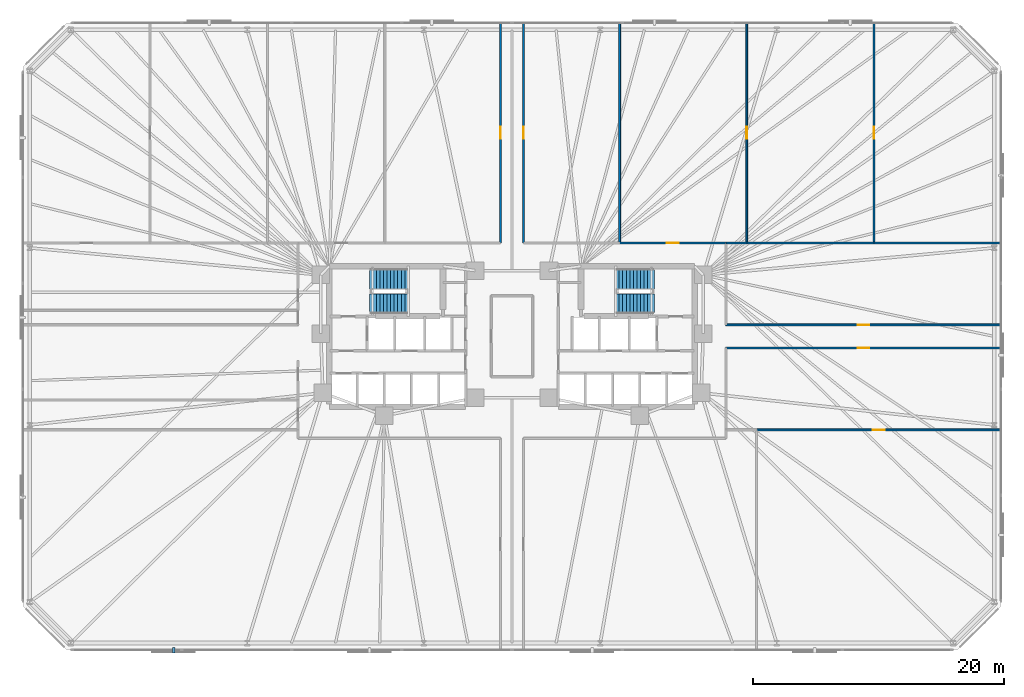
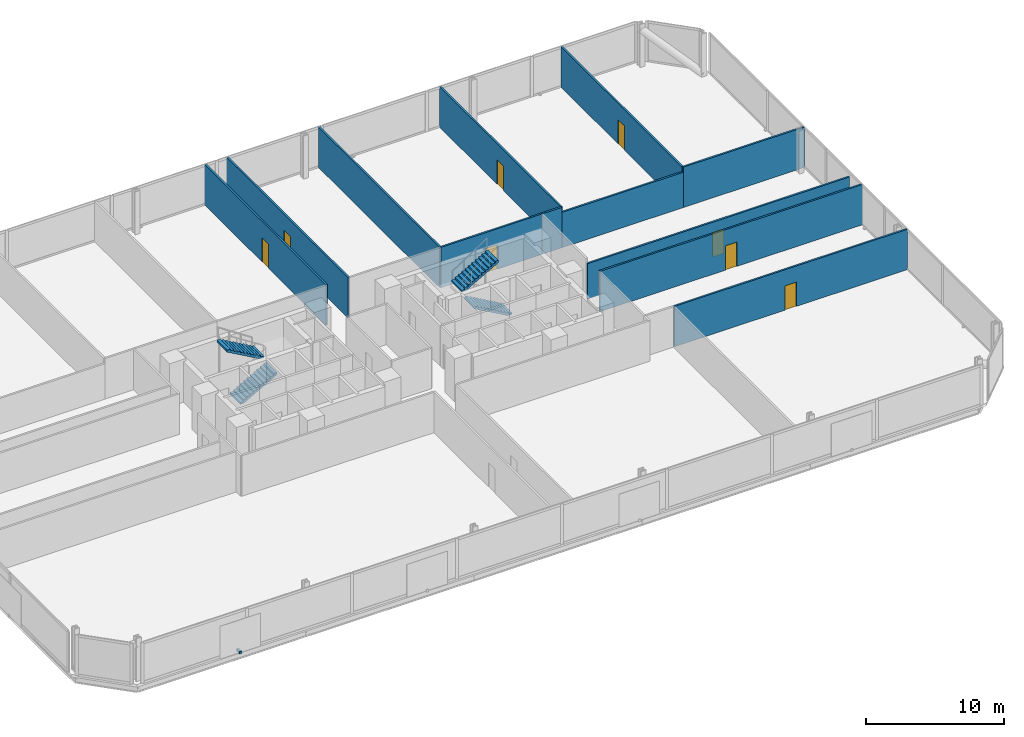
# One storey, part 14 of 16: 12 walls, 8 doors, 4 stair flights, 1 discrete accessory, 8 openings, 2 elements without a shape of their own.
"""IFC4 building model written with IfcOpenShell, lengths in metres."""

from ifc_helpers import new_model, si_unit, direction, frame, frame_2d, origin, origin_2d, place, context, subcontext, project, spatial, polyline, rectangle, outline, extrude, material, layer, layer_set, type_object, element, fill, aggregate, save


model = new_model("IFC4")

# Units and contexts
model_context = context("Model", 3, precision=1e-05, world=origin(), true_north=direction((0.0, 1.0)))
body_context = subcontext(model_context, "Body", "Model", "MODEL_VIEW")
ifc_project = project(units=[si_unit("LENGTHUNIT", "METRE"), si_unit("AREAUNIT", "SQUARE_METRE"), si_unit("VOLUMEUNIT", "CUBIC_METRE"), si_unit("PLANEANGLEUNIT", "RADIAN"), si_unit("MASSUNIT", "GRAM", prefix="KILO")], contexts=[model_context])

# Site, building, storey
site_placement = place(None, origin())
site = spatial("IfcSite", under=ifc_project, at=site_placement, CompositionType="ELEMENT")
building_placement = place(site_placement, origin())
building = spatial("IfcBuilding", under=site, at=building_placement, Name="Menara Jurai Vektor", CompositionType="ELEMENT")
storey_placement = place(building_placement, frame((0.0, 0.0, 59.800048828125)))
storey = spatial("IfcBuildingStorey", under=building, at=storey_placement, Name="L14", CompositionType="ELEMENT", Elevation=59.800048828125)

# Wall, opening, door
ifc_material_1 = material(Name="Gypsum Fireboard Partition", Category="gypsum")
ifc_layer_1 = layer(ifc_material_1, 0.14990234375)
ifc_layer_set_1 = layer_set([ifc_layer_1], Name="Gypsum Fireboard Partition")
wall_type_1 = type_object("IfcWallType", Name="INT-WALL-CORR-150", PredefinedType="PARTITIONING", material=ifc_layer_set_1)
wall_1_placement = place(storey_placement, frame((-0.919921875, 7.449951171875, 0.0), z_axis=(0.0, 0.0, 1.0), x_axis=(0.0, 1.0, 0.0)))
wall_1 = element("IfcWall", 1, at=wall_1_placement, inside=storey, type_object=wall_type_1, Name="Interior Wall IW-150 L14", PredefinedType="PARTITIONING", context=body_context, shape_type="SweptSolid", body=[
    extrude(rectangle(XDim=17.550048828125, YDim=0.14990234375, at=frame_2d((8.77490234375, 0.0))), origin(), (0.0, 0.0, 1.0), 3.574951171875),
])
opening_1_placement = place(wall_1_placement, frame((8.300048828125, 0.0, 0.0)))
opening_1 = element("IfcOpeningElement", 2, at=opening_1_placement, cuts=wall_1, Name="Opening D14-06", PredefinedType="OPENING", context=body_context, shape_type="SweptSolid", body=[
    extrude(rectangle(XDim=0.949951171875, YDim=2.14990234375, at=frame_2d((0.47509765625, 1.074951171875))), frame((0.0, 0.0849609375, 0.0), z_axis=(0.0, -1.0, 0.0), x_axis=(1.0, 0.0, 0.0)), (0.0, 0.0, 1.0), 0.169921875),
])
ifc_material_2 = material(Name="Solid Core Timber Fire Door", Category="wood")
door_type = type_object("IfcDoorType", Name="DR-ENTRY-950", OperationType="NOTDEFINED", PredefinedType="DOOR", material=ifc_material_2)
door_1_placement = place(opening_1_placement, origin())
door_1 = element("IfcDoor", 3, at=door_1_placement, inside=storey, type_object=door_type, Name="Interior Door D14-06", OperationType="SINGLE_SWING_LEFT", OverallHeight=2.14990234375, OverallWidth=0.949951171875, PredefinedType="DOOR", context=body_context, shape_type="SweptSolid", body=[
    extrude(rectangle(XDim=0.949951171875, YDim=2.14990234375, at=frame_2d((0.47509765625, 1.074951171875))), frame((0.0, 0.02490234375, 0.0), z_axis=(0.0, -1.0, 0.0), x_axis=(1.0, 0.0, 0.0)), (0.0, 0.0, 1.0), 0.050048828125),
])
fill(opening_1, door_1)

wall_2_placement = place(storey_placement, frame((0.919921875, 7.449951171875, 0.0), z_axis=(0.0, 0.0, 1.0), x_axis=(0.0, 1.0, 0.0)))
wall_2 = element("IfcWall", 4, at=wall_2_placement, inside=storey, type_object=wall_type_1, Name="Interior Wall IW-150 L14", PredefinedType="PARTITIONING", context=body_context, shape_type="SweptSolid", body=[
    extrude(rectangle(XDim=17.550048828125, YDim=0.14990234375, at=frame_2d((8.77490234375, 0.0))), origin(), (0.0, 0.0, 1.0), 3.574951171875),
])
opening_2_placement = place(wall_2_placement, frame((8.300048828125, 0.0, 0.0)))
opening_2 = element("IfcOpeningElement", 5, at=opening_2_placement, cuts=wall_2, Name="Opening D14-07", PredefinedType="OPENING", context=body_context, shape_type="SweptSolid", body=[
    extrude(rectangle(XDim=0.949951171875, YDim=2.14990234375, at=frame_2d((0.47509765625, 1.074951171875))), frame((0.0, 0.0849609375, 0.0), z_axis=(0.0, -1.0, 0.0), x_axis=(1.0, 0.0, 0.0)), (0.0, 0.0, 1.0), 0.169921875),
])
door_2_placement = place(opening_2_placement, origin())
door_2 = element("IfcDoor", 6, at=door_2_placement, inside=storey, type_object=door_type, Name="Interior Door D14-07", OperationType="SINGLE_SWING_RIGHT", OverallHeight=2.14990234375, OverallWidth=0.949951171875, PredefinedType="DOOR", context=body_context, shape_type="SweptSolid", body=[
    extrude(rectangle(XDim=0.949951171875, YDim=2.14990234375, at=frame_2d((0.47509765625, 1.074951171875))), frame((0.0, 0.02490234375, 0.0), z_axis=(0.0, -1.0, 0.0), x_axis=(1.0, 0.0, 0.0)), (0.0, 0.0, 1.0), 0.050048828125),
])
fill(opening_2, door_2)

wall_3_placement = place(storey_placement, frame((8.580078125, 7.449951171875, 0.0), z_axis=(0.0, 0.0, 1.0), x_axis=(1.0, 0.0, 0.0)))
wall_3 = element("IfcWall", 7, at=wall_3_placement, inside=storey, type_object=wall_type_1, Name="Interior Wall IW-150 L14", PredefinedType="PARTITIONING", context=body_context, shape_type="SweptSolid", body=[
    extrude(rectangle(XDim=8.47900390625, YDim=0.14990234375, at=frame_2d((4.239501953125, 0.0))), origin(), (0.0, 0.0, 1.0), 3.574951171875),
])
opening_3_placement = place(wall_3_placement, frame((3.764404296875, 0.0, 0.0)))
opening_3 = element("IfcOpeningElement", 8, at=opening_3_placement, cuts=wall_3, Name="Opening D14-08", PredefinedType="OPENING", context=body_context, shape_type="SweptSolid", body=[
    extrude(rectangle(XDim=0.949951171875, YDim=2.14990234375, at=frame_2d((0.47509765625, 1.074951171875))), frame((0.0, 0.0849609375, 0.0), z_axis=(0.0, -1.0, 0.0), x_axis=(1.0, 0.0, 0.0)), (0.0, 0.0, 1.0), 0.169921875),
])
door_3_placement = place(opening_3_placement, origin())
door_3 = element("IfcDoor", 9, at=door_3_placement, inside=storey, type_object=door_type, Name="Interior Door D14-08", OperationType="SINGLE_SWING_LEFT", OverallHeight=2.14990234375, OverallWidth=0.949951171875, PredefinedType="DOOR", context=body_context, shape_type="SweptSolid", body=[
    extrude(rectangle(XDim=0.949951171875, YDim=2.14990234375, at=frame_2d((0.47509765625, 1.074951171875))), frame((0.0, 0.02490234375, 0.0), z_axis=(0.0, -1.0, 0.0), x_axis=(1.0, 0.0, 0.0)), (0.0, 0.0, 1.0), 0.050048828125),
])
fill(opening_3, door_3)

wall_4_placement = place(storey_placement, frame((17.05908203125, -0.919921875, 0.0), z_axis=(0.0, 0.0, 1.0), x_axis=(1.0, 0.0, 0.0)))
wall_4 = element("IfcWall", 10, at=wall_4_placement, inside=storey, type_object=wall_type_1, Name="Interior Wall IW-150 L14", PredefinedType="PARTITIONING", context=body_context, shape_type="SweptSolid", body=[
    extrude(rectangle(XDim=21.94091796875, YDim=0.14990234375, at=frame_2d((10.970458984375, 0.0))), origin(), (0.0, 0.0, 1.0), 3.574951171875),
])
opening_4_placement = place(wall_4_placement, frame((10.49560546875, 0.0, 0.0)))
opening_4 = element("IfcOpeningElement", 11, at=opening_4_placement, cuts=wall_4, Name="Opening D14-15", PredefinedType="OPENING", context=body_context, shape_type="SweptSolid", body=[
    extrude(rectangle(XDim=0.949951171875, YDim=2.14990234375, at=frame_2d((0.47509765625, 1.074951171875))), frame((0.0, 0.0849609375, 0.0), z_axis=(0.0, -1.0, 0.0), x_axis=(1.0, 0.0, 0.0)), (0.0, 0.0, 1.0), 0.169921875),
])
door_4_placement = place(opening_4_placement, origin())
door_4 = element("IfcDoor", 12, at=door_4_placement, inside=storey, type_object=door_type, Name="Interior Door D14-15", OperationType="SINGLE_SWING_RIGHT", OverallHeight=2.14990234375, OverallWidth=0.949951171875, PredefinedType="DOOR", context=body_context, shape_type="SweptSolid", body=[
    extrude(rectangle(XDim=0.949951171875, YDim=2.14990234375, at=frame_2d((0.47509765625, 1.074951171875))), frame((0.0, 0.02490234375, 0.0), z_axis=(0.0, -1.0, 0.0), x_axis=(1.0, 0.0, 0.0)), (0.0, 0.0, 1.0), 0.050048828125),
])
fill(opening_4, door_4)

# Wall
wall_5_placement = place(storey_placement, frame((8.580078125, 7.449951171875, 0.0), z_axis=(0.0, 0.0, 1.0), x_axis=(0.0, 1.0, 0.0)))
element("IfcWall", 13, at=wall_5_placement, inside=storey, type_object=wall_type_1, Name="Interior Wall IW-150 L14", PredefinedType="PARTITIONING", context=body_context, shape_type="SweptSolid", body=[
    extrude(rectangle(XDim=17.550048828125, YDim=0.14990234375, at=frame_2d((8.77490234375, 0.0))), origin(), (0.0, 0.0, 1.0), 3.574951171875),
])

# Wall, opening, door
wall_6_placement = place(storey_placement, frame((18.719970703125, 7.449951171875, 0.0), z_axis=(0.0, 0.0, 1.0), x_axis=(0.0, 1.0, 0.0)))
wall_6 = element("IfcWall", 14, at=wall_6_placement, inside=storey, type_object=wall_type_1, Name="Interior Wall IW-150 L14", PredefinedType="PARTITIONING", context=body_context, shape_type="SweptSolid", body=[
    extrude(rectangle(XDim=17.550048828125, YDim=0.14990234375, at=frame_2d((8.77490234375, 0.0))), origin(), (0.0, 0.0, 1.0), 3.574951171875),
])
opening_5_placement = place(wall_6_placement, frame((8.300048828125, 0.0, 0.0)))
opening_5 = element("IfcOpeningElement", 15, at=opening_5_placement, cuts=wall_6, Name="Opening D14-19", PredefinedType="OPENING", context=body_context, shape_type="SweptSolid", body=[
    extrude(rectangle(XDim=0.949951171875, YDim=2.14990234375, at=frame_2d((0.47509765625, 1.074951171875))), frame((0.0, 0.0849609375, 0.0), z_axis=(0.0, -1.0, 0.0), x_axis=(1.0, 0.0, 0.0)), (0.0, 0.0, 1.0), 0.169921875),
])
door_5_placement = place(opening_5_placement, origin())
door_5 = element("IfcDoor", 16, at=door_5_placement, inside=storey, type_object=door_type, Name="Interior Door D14-19", OperationType="SINGLE_SWING_RIGHT", OverallHeight=2.14990234375, OverallWidth=0.949951171875, PredefinedType="DOOR", context=body_context, shape_type="SweptSolid", body=[
    extrude(rectangle(XDim=0.949951171875, YDim=2.14990234375, at=frame_2d((0.47509765625, 1.074951171875))), frame((0.0, 0.02490234375, 0.0), z_axis=(0.0, -1.0, 0.0), x_axis=(1.0, 0.0, 0.0)), (0.0, 0.0, 1.0), 0.050048828125),
])
fill(opening_5, door_5)

# Wall
wall_7_placement = place(storey_placement, frame((17.05908203125, 7.449951171875, 0.0), z_axis=(0.0, 0.0, 1.0), x_axis=(1.0, 0.0, 0.0)))
element("IfcWall", 17, at=wall_7_placement, inside=storey, type_object=wall_type_1, Name="Interior Wall IW-150 L14", PredefinedType="PARTITIONING", context=body_context, shape_type="SweptSolid", body=[
    extrude(rectangle(XDim=1.660888671875, YDim=0.14990234375, at=frame_2d((0.83056640625, 0.0))), origin(), (0.0, 0.0, 1.0), 3.574951171875),
])

# Wall, opening, door
wall_8_placement = place(storey_placement, frame((28.860107421875, 7.449951171875, 0.0), z_axis=(0.0, 0.0, 1.0), x_axis=(0.0, 1.0, 0.0)))
wall_8 = element("IfcWall", 18, at=wall_8_placement, inside=storey, type_object=wall_type_1, Name="Interior Wall IW-150 L14", PredefinedType="PARTITIONING", context=body_context, shape_type="SweptSolid", body=[
    extrude(rectangle(XDim=17.550048828125, YDim=0.14990234375, at=frame_2d((8.77490234375, 0.0))), origin(), (0.0, 0.0, 1.0), 3.574951171875),
])
opening_6_placement = place(wall_8_placement, frame((8.300048828125, 0.0, 0.0)))
opening_6 = element("IfcOpeningElement", 19, at=opening_6_placement, cuts=wall_8, Name="Opening D14-20", PredefinedType="OPENING", context=body_context, shape_type="SweptSolid", body=[
    extrude(rectangle(XDim=0.949951171875, YDim=2.14990234375, at=frame_2d((0.47509765625, 1.074951171875))), frame((0.0, 0.0849609375, 0.0), z_axis=(0.0, -1.0, 0.0), x_axis=(1.0, 0.0, 0.0)), (0.0, 0.0, 1.0), 0.169921875),
])
door_6_placement = place(opening_6_placement, origin())
door_6 = element("IfcDoor", 20, at=door_6_placement, inside=storey, type_object=door_type, Name="Interior Door D14-20", OperationType="SINGLE_SWING_LEFT", OverallHeight=2.14990234375, OverallWidth=0.949951171875, PredefinedType="DOOR", context=body_context, shape_type="SweptSolid", body=[
    extrude(rectangle(XDim=0.949951171875, YDim=2.14990234375, at=frame_2d((0.47509765625, 1.074951171875))), frame((0.0, 0.02490234375, 0.0), z_axis=(0.0, -1.0, 0.0), x_axis=(1.0, 0.0, 0.0)), (0.0, 0.0, 1.0), 0.050048828125),
])
fill(opening_6, door_6)

# Wall
wall_9_placement = place(storey_placement, frame((28.860107421875, 7.449951171875, 0.0), z_axis=(0.0, 0.0, 1.0), x_axis=(1.0, 0.0, 0.0)))
element("IfcWall", 21, at=wall_9_placement, inside=storey, type_object=wall_type_1, Name="Interior Wall IW-150 L14", PredefinedType="PARTITIONING", context=body_context, shape_type="SweptSolid", body=[
    extrude(rectangle(XDim=10.139892578125, YDim=0.14990234375, at=frame_2d((5.06982421875, 0.0))), origin(), (0.0, 0.0, 1.0), 3.574951171875),
])

# Wall, opening, door
wall_10_placement = place(storey_placement, frame((19.5, -7.449951171875, 0.0), z_axis=(0.0, 0.0, 1.0), x_axis=(1.0, 0.0, 0.0)))
wall_10 = element("IfcWall", 22, at=wall_10_placement, inside=storey, type_object=wall_type_1, Name="Interior Wall IW-150 L14", PredefinedType="PARTITIONING", context=body_context, shape_type="SweptSolid", body=[
    extrude(rectangle(XDim=19.5, YDim=0.14990234375, at=frame_2d((9.75, 0.0))), origin(), (0.0, 0.0, 1.0), 3.574951171875),
])
opening_7_placement = place(wall_10_placement, frame((9.27490234375, 0.0, 0.0)))
opening_7 = element("IfcOpeningElement", 23, at=opening_7_placement, cuts=wall_10, Name="Opening D14-21", PredefinedType="OPENING", context=body_context, shape_type="SweptSolid", body=[
    extrude(rectangle(XDim=0.949951171875, YDim=2.14990234375, at=frame_2d((0.47509765625, 1.074951171875))), frame((0.0, 0.0849609375, 0.0), z_axis=(0.0, -1.0, 0.0), x_axis=(1.0, 0.0, 0.0)), (0.0, 0.0, 1.0), 0.169921875),
])
door_7_placement = place(opening_7_placement, origin())
door_7 = element("IfcDoor", 24, at=door_7_placement, inside=storey, type_object=door_type, Name="Interior Door D14-21", OperationType="SINGLE_SWING_RIGHT", OverallHeight=2.14990234375, OverallWidth=0.949951171875, PredefinedType="DOOR", context=body_context, shape_type="SweptSolid", body=[
    extrude(rectangle(XDim=0.949951171875, YDim=2.14990234375, at=frame_2d((0.47509765625, 1.074951171875))), frame((0.0, 0.02490234375, 0.0), z_axis=(0.0, -1.0, 0.0), x_axis=(1.0, 0.0, 0.0)), (0.0, 0.0, 1.0), 0.050048828125),
])
fill(opening_7, door_7)

ifc_layer_2 = layer(ifc_material_1, 0.14990234375)
ifc_layer_set_2 = layer_set([ifc_layer_2], Name="Gypsum Fireboard Partition")
wall_type_2 = type_object("IfcWallType", Name="INT-WALL-CORR-150-H1", PredefinedType="PARTITIONING", material=ifc_layer_set_2)
wall_11_placement = place(storey_placement, frame((17.05908203125, 0.919921875, 0.0), z_axis=(0.0, 0.0, 1.0), x_axis=(1.0, 0.0, 0.0)))
wall_11 = element("IfcWall", 25, at=wall_11_placement, inside=storey, type_object=wall_type_2, Name="Interior Wall IW-150 L14", PredefinedType="PARTITIONING", context=body_context, shape_type="SweptSolid", body=[
    extrude(rectangle(XDim=21.94091796875, YDim=0.14990234375, at=frame_2d((10.970458984375, 0.0))), origin(), (0.0, 0.0, 1.0), 3.125),
])
opening_8_placement = place(wall_11_placement, frame((10.49560546875, 0.0, 0.0)))
opening_8 = element("IfcOpeningElement", 26, at=opening_8_placement, cuts=wall_11, Name="Opening D14-16", PredefinedType="OPENING", context=body_context, shape_type="SweptSolid", body=[
    extrude(rectangle(XDim=0.949951171875, YDim=2.14990234375, at=frame_2d((0.47509765625, 1.074951171875))), frame((0.0, 0.0849609375, 0.0), z_axis=(0.0, -1.0, 0.0), x_axis=(1.0, 0.0, 0.0)), (0.0, 0.0, 1.0), 0.169921875),
])
door_8_placement = place(opening_8_placement, origin())
door_8 = element("IfcDoor", 27, at=door_8_placement, inside=storey, type_object=door_type, Name="Interior Door D14-16", OperationType="SINGLE_SWING_LEFT", OverallHeight=2.14990234375, OverallWidth=0.949951171875, PredefinedType="DOOR", context=body_context, shape_type="SweptSolid", body=[
    extrude(rectangle(XDim=0.949951171875, YDim=2.14990234375, at=frame_2d((0.47509765625, 1.074951171875))), frame((0.0, 0.02490234375, 0.0), z_axis=(0.0, -1.0, 0.0), x_axis=(1.0, 0.0, 0.0)), (0.0, 0.0, 1.0), 0.050048828125),
])
fill(opening_8, door_8)

# Wall
wall_12_placement = place(storey_placement, frame((18.719970703125, 7.449951171875, 0.0), z_axis=(0.0, 0.0, 1.0), x_axis=(1.0, 0.0, 0.0)))
element("IfcWall", 28, at=wall_12_placement, inside=storey, type_object=wall_type_2, Name="Interior Wall IW-150 L14", PredefinedType="PARTITIONING", context=body_context, shape_type="SweptSolid", body=[
    extrude(rectangle(XDim=10.14013671875, YDim=0.14990234375, at=frame_2d((5.070068359375, 0.0))), origin(), (0.0, 0.0, 1.0), 3.125),
])

# Stair, stair flights
ifc_material_3 = material(Name="Concrete C40/50", Category="concrete")
stair_type = type_object("IfcStairType", Name="STAIR-DOGLEG-1500", PredefinedType="HALF_TURN_STAIR", material=ifc_material_3)
stair_1_placement = place(storey_placement, origin())
stair_1 = element("IfcStair", 29, at=stair_1_placement, inside=storey, type_object=stair_type, Name="Protected Exit Stair ST1 L14", PredefinedType="HALF_TURN_STAIR")
stair_flight_type = type_object("IfcStairFlightType", Name="STAIR-FLIGHT-1500", PredefinedType="STRAIGHT", material=ifc_material_3)
stair_flight_1_placement = place(storey_placement, frame((-11.35009765625, 2.64990234375, 0.0), z_axis=(0.0, 0.0, 1.0), x_axis=(1.0, 0.0, 0.0)))
stair_flight_1 = element("IfcStairFlight", 30, at=stair_flight_1_placement, type_object=stair_flight_type, Name="ST1 flight 1", NumberOfRisers=12, NumberOfTreads=11, PredefinedType="STRAIGHT", RiserHeight=0.158333, TreadLength=0.28, context=body_context, shape_type="SweptSolid", body=[
    extrude(outline(polyline([(0.0, 0.0), (0.0, 0.158447265625), (0.280029296875, 0.158447265625), (0.280029296875, 0.316650390625), (0.56005859375, 0.316650390625), (0.56005859375, 0.47509765625), (0.840087890625, 0.47509765625), (0.840087890625, 0.63330078125), (1.1201171875, 0.63330078125), (1.1201171875, 0.791748046875), (1.39990234375, 0.791748046875), (1.39990234375, 0.949951171875), (1.679931640625, 0.949951171875), (1.679931640625, 1.1083984375), (1.9599609375, 1.1083984375), (1.9599609375, 1.2666015625), (2.239990234375, 1.2666015625), (2.239990234375, 1.425048828125), (2.52001953125, 1.425048828125), (2.52001953125, 1.583251953125), (2.800048828125, 1.583251953125), (2.800048828125, 1.74169921875), (3.080078125, 1.74169921875), (3.080078125, 1.89990234375), (3.080078125, 1.557861328125), (0.324951171875, 0.0), (0.0, 0.0)])), frame((0.0, 0.75, 0.0), z_axis=(0.0, -1.0, 0.0), x_axis=(1.0, 0.0, 0.0)), (0.0, 0.0, 1.0), 1.5),
])
stair_flight_2_placement = place(storey_placement, frame((-8.27001953125, 4.550048828125, 1.89990234375), z_axis=(0.0, 0.0, 1.0), x_axis=(-1.0, 0.0, 0.0)))
stair_flight_2 = element("IfcStairFlight", 31, at=stair_flight_2_placement, type_object=stair_flight_type, Name="ST1 flight 2", NumberOfRisers=12, NumberOfTreads=11, PredefinedType="STRAIGHT", RiserHeight=0.158333, TreadLength=0.28, context=body_context, shape_type="SweptSolid", body=[
    extrude(outline(polyline([(0.0, 0.0), (0.0, 0.158447265625), (0.280029296875, 0.158447265625), (0.280029296875, 0.316650390625), (0.56005859375, 0.316650390625), (0.56005859375, 0.47509765625), (0.840087890625, 0.47509765625), (0.840087890625, 0.63330078125), (1.1201171875, 0.63330078125), (1.1201171875, 0.791748046875), (1.39990234375, 0.791748046875), (1.39990234375, 0.949951171875), (1.679931640625, 0.949951171875), (1.679931640625, 1.1083984375), (1.9599609375, 1.1083984375), (1.9599609375, 1.2666015625), (2.239990234375, 1.2666015625), (2.239990234375, 1.425048828125), (2.52001953125, 1.425048828125), (2.52001953125, 1.583251953125), (2.800048828125, 1.583251953125), (2.800048828125, 1.74169921875), (3.080078125, 1.74169921875), (3.080078125, 1.89990234375), (3.080078125, 1.557861328125), (0.324951171875, 0.0), (0.0, 0.0)])), frame((0.0, 0.75, 0.0), z_axis=(0.0, -1.0, 0.0), x_axis=(1.0, 0.0, 0.0)), (0.0, 0.0, 1.0), 1.5),
])
aggregate(stair_1, [stair_flight_1, stair_flight_2])

stair_2_placement = place(storey_placement, origin())
stair_2 = element("IfcStair", 32, at=stair_2_placement, inside=storey, type_object=stair_type, Name="Protected Exit Stair ST2 L14", PredefinedType="HALF_TURN_STAIR")
stair_flight_3_placement = place(storey_placement, frame((11.35009765625, 2.64990234375, 0.0), z_axis=(0.0, 0.0, 1.0), x_axis=(-1.0, 0.0, 0.0)))
stair_flight_3 = element("IfcStairFlight", 33, at=stair_flight_3_placement, type_object=stair_flight_type, Name="ST2 flight 1", NumberOfRisers=12, NumberOfTreads=11, PredefinedType="STRAIGHT", RiserHeight=0.158333, TreadLength=0.28, context=body_context, shape_type="SweptSolid", body=[
    extrude(outline(polyline([(0.0, 0.0), (0.0, 0.158447265625), (0.280029296875, 0.158447265625), (0.280029296875, 0.316650390625), (0.56005859375, 0.316650390625), (0.56005859375, 0.47509765625), (0.840087890625, 0.47509765625), (0.840087890625, 0.63330078125), (1.1201171875, 0.63330078125), (1.1201171875, 0.791748046875), (1.39990234375, 0.791748046875), (1.39990234375, 0.949951171875), (1.679931640625, 0.949951171875), (1.679931640625, 1.1083984375), (1.9599609375, 1.1083984375), (1.9599609375, 1.2666015625), (2.239990234375, 1.2666015625), (2.239990234375, 1.425048828125), (2.52001953125, 1.425048828125), (2.52001953125, 1.583251953125), (2.800048828125, 1.583251953125), (2.800048828125, 1.74169921875), (3.080078125, 1.74169921875), (3.080078125, 1.89990234375), (3.080078125, 1.557861328125), (0.324951171875, 0.0), (0.0, 0.0)])), frame((0.0, 0.75, 0.0), z_axis=(0.0, -1.0, 0.0), x_axis=(1.0, 0.0, 0.0)), (0.0, 0.0, 1.0), 1.5),
])
stair_flight_4_placement = place(storey_placement, frame((8.27001953125, 4.550048828125, 1.89990234375), z_axis=(0.0, 0.0, 1.0), x_axis=(1.0, 0.0, 0.0)))
stair_flight_4 = element("IfcStairFlight", 34, at=stair_flight_4_placement, type_object=stair_flight_type, Name="ST2 flight 2", NumberOfRisers=12, NumberOfTreads=11, PredefinedType="STRAIGHT", RiserHeight=0.158333, TreadLength=0.28, context=body_context, shape_type="SweptSolid", body=[
    extrude(outline(polyline([(0.0, 0.0), (0.0, 0.158447265625), (0.280029296875, 0.158447265625), (0.280029296875, 0.316650390625), (0.56005859375, 0.316650390625), (0.56005859375, 0.47509765625), (0.840087890625, 0.47509765625), (0.840087890625, 0.63330078125), (1.1201171875, 0.63330078125), (1.1201171875, 0.791748046875), (1.39990234375, 0.791748046875), (1.39990234375, 0.949951171875), (1.679931640625, 0.949951171875), (1.679931640625, 1.1083984375), (1.9599609375, 1.1083984375), (1.9599609375, 1.2666015625), (2.239990234375, 1.2666015625), (2.239990234375, 1.425048828125), (2.52001953125, 1.425048828125), (2.52001953125, 1.583251953125), (2.800048828125, 1.583251953125), (2.800048828125, 1.74169921875), (3.080078125, 1.74169921875), (3.080078125, 1.89990234375), (3.080078125, 1.557861328125), (0.324951171875, 0.0), (0.0, 0.0)])), frame((0.0, 0.75, 0.0), z_axis=(0.0, -1.0, 0.0), x_axis=(1.0, 0.0, 0.0)), (0.0, 0.0, 1.0), 1.5),
])
aggregate(stair_2, [stair_flight_3, stair_flight_4])

# Discrete accessory
ifc_material_4 = material(Name="Steel S355", Category="steel")
discrete_accessory_type = type_object("IfcDiscreteAccessoryType", Name="ENV-ACC-BRACKET", PredefinedType="BRACKET", material=ifc_material_4)
discrete_accessory_placement = place(storey_placement, frame((-26.97998046875, -25.010009765625, -0.1298828125), z_axis=(0.0, 0.0, 1.0), x_axis=(1.0, 0.0, 0.0)))
element("IfcDiscreteAccessory", 35, at=discrete_accessory_placement, inside=storey, type_object=discrete_accessory_type, Name="Solar Screen Stand-Off Bracket L14-S01", PredefinedType="BRACKET", context=body_context, shape_type="SweptSolid", body=[
    extrude(rectangle(XDim=0.179931640625, YDim=0.43994140625, at=origin_2d()), origin(), (0.0, 0.0, 1.0), 0.219970703125),
])

save(model, "model.ifc")
